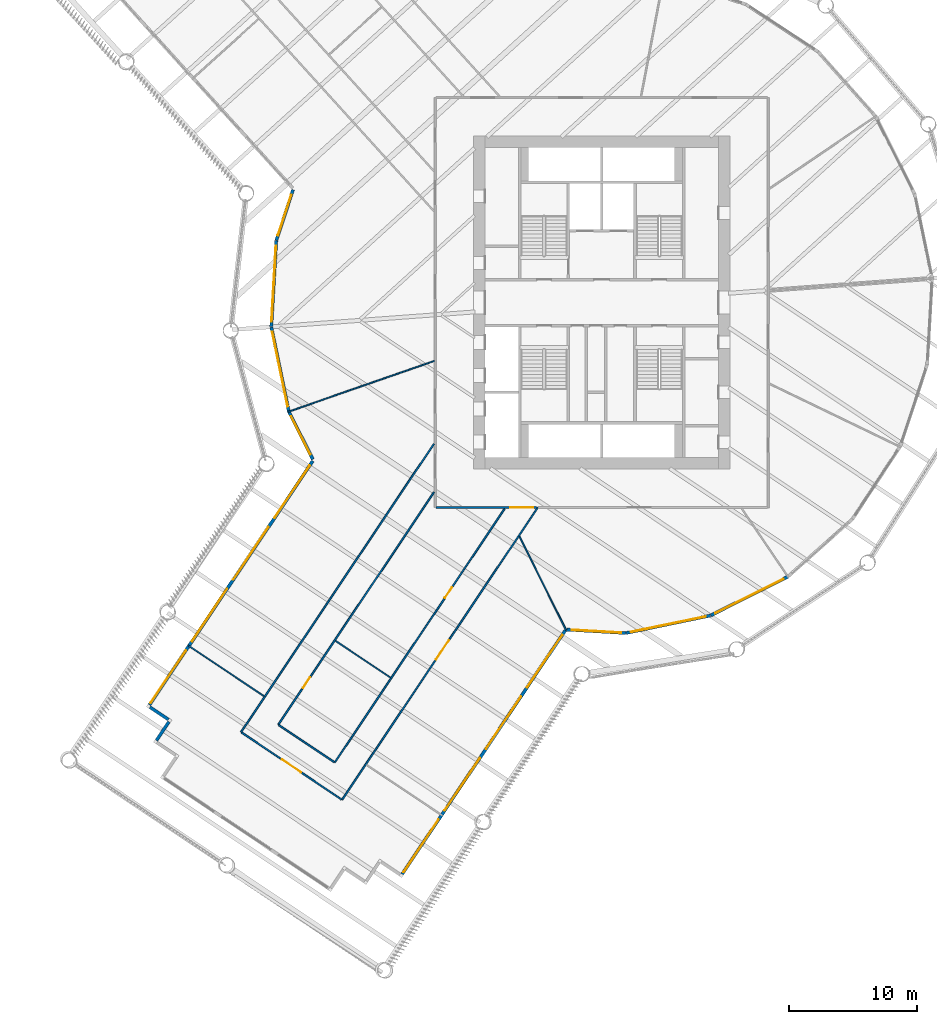
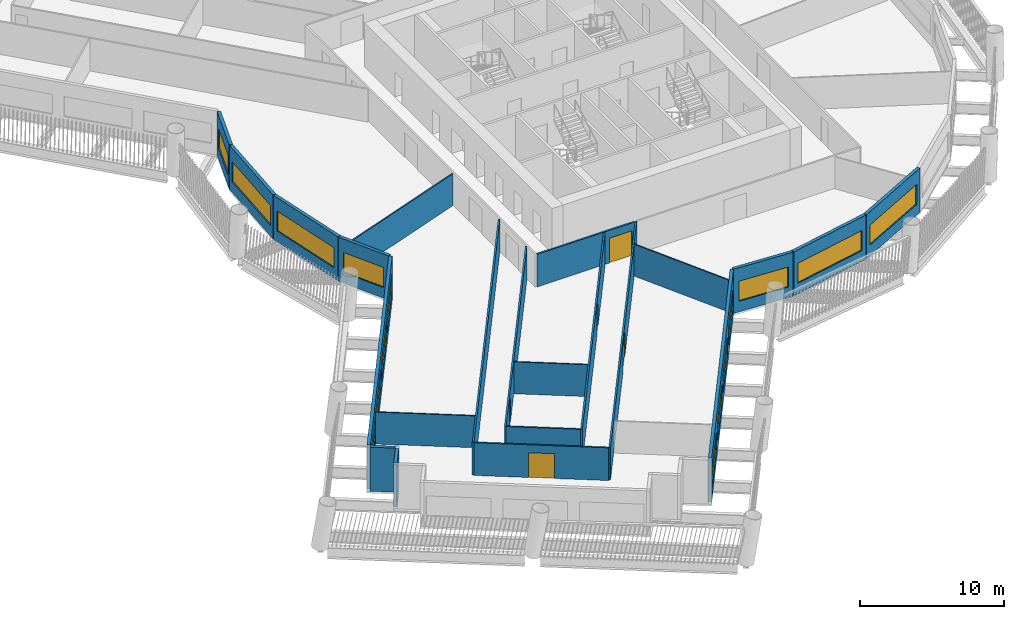
# One storey, part 3 of 15: 22 walls, 15 windows, 5 doors, 20 openings.
"""IFC4 building model written with IfcOpenShell, lengths in metres."""

from ifc_helpers import new_model, si_unit, direction, frame, frame_2d, origin, place, context, subcontext, project, spatial, rectangle, extrude, material, layer, layer_set, type_object, element, fill, save


model = new_model("IFC4")

# Units and contexts
model_context = context("Model", 3, precision=1e-05, world=origin(), true_north=direction((0.0, 1.0)))
body_context = subcontext(model_context, "Body", "Model", "MODEL_VIEW")
ifc_project = project(units=[si_unit("LENGTHUNIT", "METRE"), si_unit("AREAUNIT", "SQUARE_METRE"), si_unit("VOLUMEUNIT", "CUBIC_METRE"), si_unit("PLANEANGLEUNIT", "RADIAN"), si_unit("MASSUNIT", "GRAM", prefix="KILO")], contexts=[model_context])

# Site, building, storey
site_placement = place(None, origin())
site = spatial("IfcSite", under=ifc_project, at=site_placement, CompositionType="ELEMENT")
building_placement = place(site_placement, origin())
building = spatial("IfcBuilding", under=site, at=building_placement, Name="Tarsis Ring Headquarters", CompositionType="ELEMENT")
storey_placement = place(building_placement, frame((0.0, 0.0, 59.5)))
storey = spatial("IfcBuildingStorey", under=building, at=storey_placement, Name="L12", CompositionType="ELEMENT", Elevation=59.5)

# Walls
ifc_material_1 = material(Name="Gypsum board on steel studs", Category="steel")
ifc_layer_1 = layer(ifc_material_1, 0.10009765625)
ifc_layer_set_1 = layer_set([ifc_layer_1], Name="FL partition 100 unrated")
wall_type_1 = type_object("IfcWallType", Name="FL partition 100 unrated", PredefinedType="PARTITIONING", material=ifc_layer_set_1)
wall_1_placement = place(storey_placement, frame((-24.50439453125, -8.533447265625, 0.0), z_axis=(0.0, 0.0, 1.0), x_axis=(0.944374259655, 0.328872707444, 0.0)))
element("IfcWall", 1, at=wall_1_placement, inside=storey, type_object=wall_type_1, Name="Partition PW3", PredefinedType="PARTITIONING", context=body_context, shape_type="SweptSolid", body=[
    extrude(rectangle(XDim=12.101806640625, YDim=0.10009765625, at=frame_2d((6.05078125, 0.0))), origin(), (0.0, 0.0, 1.0), 2.699951171875),
])
wall_2_placement = place(storey_placement, frame((-6.416015625, -18.265380859375, 0.0), z_axis=(0.0, 0.0, 1.0), x_axis=(0.445432294713, -0.895315626373, 0.0)))
element("IfcWall", 2, at=wall_2_placement, inside=storey, type_object=wall_type_1, Name="Partition PW3", PredefinedType="PARTITIONING", context=body_context, shape_type="SweptSolid", body=[
    extrude(rectangle(XDim=8.172607421875, YDim=0.10009765625, at=frame_2d((4.08642578125, 0.0))), origin(), (0.0, 0.0, 1.0), 2.699951171875),
])
wall_3_placement = place(storey_placement, frame((-32.298828125, -26.76611328125, 0.0), z_axis=(0.0, 0.0, 1.0), x_axis=(0.830984627552, -0.556295379068, 0.0)))
element("IfcWall", 3, at=wall_3_placement, inside=storey, type_object=wall_type_1, Name="Partition PW3", PredefinedType="PARTITIONING", context=body_context, shape_type="SweptSolid", body=[
    extrude(rectangle(XDim=7.1298828125, YDim=0.10009765625, at=frame_2d((3.56494140625, 0.0))), origin(), (0.0, 0.0, 1.0), 2.699951171875),
])
wall_4_placement = place(storey_placement, frame((-20.785400390625, -26.410888671875, 0.0), z_axis=(0.0, 0.0, 1.0), x_axis=(0.830971427411, -0.556315096709, 0.0)))
element("IfcWall", 4, at=wall_4_placement, inside=storey, type_object=wall_type_1, Name="Partition PW3", PredefinedType="PARTITIONING", context=body_context, shape_type="SweptSolid", body=[
    extrude(rectangle(XDim=5.16015625, YDim=0.10009765625, at=frame_2d((2.580078125, 0.0))), origin(), (0.0, 0.0, 1.0), 2.699951171875),
])

# Wall, opening, door
ifc_layer_2 = layer(ifc_material_1, 0.125)
ifc_layer_set_2 = layer_set([ifc_layer_2], Name="FL partition 125 EI 60 H2770")
wall_type_2 = type_object("IfcWallType", Name="FL partition 125 EI 60 H2770", PredefinedType="PARTITIONING", material=ifc_layer_set_2)
wall_5_placement = place(storey_placement, frame((-20.27392578125, -38.823486328125, 0.0), z_axis=(0.0, 0.0, 1.0), x_axis=(0.556290994728, 0.830987562593, 0.0)))
wall_5 = element("IfcWall", 5, at=wall_5_placement, inside=storey, type_object=wall_type_2, Name="Partition PW1", PredefinedType="PARTITIONING", context=body_context, shape_type="SweptSolid", body=[
    extrude(rectangle(XDim=27.465576171875, YDim=0.125, at=frame_2d((13.73291015625, 0.0))), origin(), (0.0, 0.0, 1.0), 2.77001953125),
])
opening_1_placement = place(wall_5_placement, frame((13.181396484375, 0.0, 0.0)))
opening_1 = element("IfcOpeningElement", 6, at=opening_1_placement, cuts=wall_5, Name="Opening D12.09", PredefinedType="OPENING", context=body_context, shape_type="SweptSolid", body=[
    extrude(rectangle(XDim=1.800048828125, YDim=2.10009765625, at=frame_2d((0.89990234375, 1.050048828125))), frame((0.0, 0.072509765625, 0.0), z_axis=(0.0, -1.0, 0.0), x_axis=(1.0, 0.0, 0.0)), (0.0, 0.0, 1.0), 0.14501953125),
])
ifc_material_2 = material(Name="Fire-rated timber door leaf in steel frame", Category="steel")
door_type_1 = type_object("IfcDoorType", Name="FL door FD60-1800", OperationType="DOUBLE_DOOR_SINGLE_SWING", PredefinedType="DOOR", material=ifc_material_2)
door_1_placement = place(opening_1_placement, origin())
door_1 = element("IfcDoor", 7, at=door_1_placement, inside=storey, type_object=door_type_1, Name="Door D12.09", OperationType="DOUBLE_DOOR_SINGLE_SWING", OverallHeight=2.10009765625, OverallWidth=1.800048828125, PredefinedType="DOOR", context=body_context, shape_type="SweptSolid", body=[
    extrude(rectangle(XDim=1.800048828125, YDim=2.10009765625, at=frame_2d((0.89990234375, 1.050048828125))), frame((0.0, 0.02490234375, 0.0), z_axis=(0.0, -1.0, 0.0), x_axis=(1.0, 0.0, 0.0)), (0.0, 0.0, 1.0), 0.050048828125),
])
fill(opening_1, door_1)

# Wall
wall_6_placement = place(storey_placement, frame((-28.168212890625, -33.538818359375, 0.0), z_axis=(0.0, 0.0, 1.0), x_axis=(0.556288881829, 0.830988977035, 0.0)))
element("IfcWall", 8, at=wall_6_placement, inside=storey, type_object=wall_type_2, Name="Partition PW1", PredefinedType="PARTITIONING", context=body_context, shape_type="SweptSolid", body=[
    extrude(rectangle(XDim=27.07666015625, YDim=0.125, at=frame_2d((13.538330078125, 0.0))), origin(), (0.0, 0.0, 1.0), 2.77001953125),
])

# Wall, opening, door
wall_7_placement = place(storey_placement, frame((-12.93896484375, -16.0, 0.0), z_axis=(0.0, 0.0, 1.0), x_axis=(1.0, 0.0, 0.0)))
wall_7 = element("IfcWall", 9, at=wall_7_placement, inside=storey, type_object=wall_type_2, Name="Partition PW1", PredefinedType="PARTITIONING", context=body_context, shape_type="SweptSolid", body=[
    extrude(rectangle(XDim=7.826904296875, YDim=0.125, at=frame_2d((3.91357421875, 0.0))), origin(), (0.0, 0.0, 1.0), 2.77001953125),
])
opening_2_placement = place(wall_7_placement, frame((5.780517578125, 0.0, 0.0)))
opening_2 = element("IfcOpeningElement", 10, at=opening_2_placement, cuts=wall_7, Name="Opening D12.18", PredefinedType="OPENING", context=body_context, shape_type="SweptSolid", body=[
    extrude(rectangle(XDim=1.800048828125, YDim=2.10009765625, at=frame_2d((0.89990234375, 1.050048828125))), frame((0.0, 0.072509765625, 0.0), z_axis=(0.0, -1.0, 0.0), x_axis=(1.0, 0.0, 0.0)), (0.0, 0.0, 1.0), 0.14501953125),
])
door_2_placement = place(opening_2_placement, origin())
door_2 = element("IfcDoor", 11, at=door_2_placement, inside=storey, type_object=door_type_1, Name="Door D12.18", OperationType="DOUBLE_DOOR_SINGLE_SWING", OverallHeight=2.10009765625, OverallWidth=1.800048828125, PredefinedType="DOOR", context=body_context, shape_type="SweptSolid", body=[
    extrude(rectangle(XDim=1.800048828125, YDim=2.10009765625, at=frame_2d((0.89990234375, 1.050048828125))), frame((0.0, 0.02490234375, 0.0), z_axis=(0.0, -1.0, 0.0), x_axis=(1.0, 0.0, 0.0)), (0.0, 0.0, 1.0), 0.050048828125),
])
fill(opening_2, door_2)

wall_8_placement = place(storey_placement, frame((-20.850830078125, -35.91015625, 0.0), z_axis=(0.0, 0.0, 1.0), x_axis=(0.556296079298, 0.830984158789, 0.0)))
wall_8 = element("IfcWall", 12, at=wall_8_placement, inside=storey, type_object=wall_type_2, Name="Partition PW1", PredefinedType="PARTITIONING", context=body_context, shape_type="SweptSolid", body=[
    extrude(rectangle(XDim=23.849853515625, YDim=0.125, at=frame_2d((11.9248046875, 0.0))), origin(), (0.0, 0.0, 1.0), 2.77001953125),
])
opening_3_placement = place(wall_8_placement, frame((15.44580078125, 0.0, 0.0)))
opening_3 = element("IfcOpeningElement", 13, at=opening_3_placement, cuts=wall_8, Name="Opening D12.15", PredefinedType="OPENING", context=body_context, shape_type="SweptSolid", body=[
    extrude(rectangle(XDim=1.0, YDim=2.10009765625, at=frame_2d((0.5, 1.050048828125))), frame((0.0, 0.072509765625, 0.0), z_axis=(0.0, -1.0, 0.0), x_axis=(1.0, 0.0, 0.0)), (0.0, 0.0, 1.0), 0.14501953125),
])
door_type_2 = type_object("IfcDoorType", Name="FL door FD60-1000", OperationType="NOTDEFINED", PredefinedType="DOOR", material=ifc_material_2)
door_3_placement = place(opening_3_placement, origin())
door_3 = element("IfcDoor", 14, at=door_3_placement, inside=storey, type_object=door_type_2, Name="Door D12.15", OperationType="SINGLE_SWING_LEFT", OverallHeight=2.10009765625, OverallWidth=1.0, PredefinedType="DOOR", context=body_context, shape_type="SweptSolid", body=[
    extrude(rectangle(XDim=1.0, YDim=2.10009765625, at=frame_2d((0.5, 1.050048828125))), frame((0.0, 0.02490234375, 0.0), z_axis=(0.0, -1.0, 0.0), x_axis=(1.0, 0.0, 0.0)), (0.0, 0.0, 1.0), 0.050048828125),
])
fill(opening_3, door_3)

wall_9_placement = place(storey_placement, frame((-25.2548828125, -32.9619140625, 0.0), z_axis=(0.0, 0.0, 1.0), x_axis=(0.556290871115, 0.830987645344, 0.0)))
wall_9 = element("IfcWall", 15, at=wall_9_placement, inside=storey, type_object=wall_type_2, Name="Partition PW1", PredefinedType="PARTITIONING", context=body_context, shape_type="SweptSolid", body=[
    extrude(rectangle(XDim=21.839599609375, YDim=0.125, at=frame_2d((10.919921875, 0.0))), origin(), (0.0, 0.0, 1.0), 2.77001953125),
])
opening_4_placement = place(wall_9_placement, frame((3.466064453125, 0.0, 0.0)))
opening_4 = element("IfcOpeningElement", 16, at=opening_4_placement, cuts=wall_9, Name="Opening D12.16", PredefinedType="OPENING", context=body_context, shape_type="SweptSolid", body=[
    extrude(rectangle(XDim=1.0, YDim=2.10009765625, at=frame_2d((0.5, 1.050048828125))), frame((0.0, 0.072509765625, 0.0), z_axis=(0.0, -1.0, 0.0), x_axis=(1.0, 0.0, 0.0)), (0.0, 0.0, 1.0), 0.14501953125),
])
door_4_placement = place(opening_4_placement, origin())
door_4 = element("IfcDoor", 17, at=door_4_placement, inside=storey, type_object=door_type_2, Name="Door D12.16", OperationType="SINGLE_SWING_RIGHT", OverallHeight=2.10009765625, OverallWidth=1.0, PredefinedType="DOOR", context=body_context, shape_type="SweptSolid", body=[
    extrude(rectangle(XDim=1.0, YDim=2.10009765625, at=frame_2d((0.5, 1.050048828125))), frame((0.0, 0.02490234375, 0.0), z_axis=(0.0, -1.0, 0.0), x_axis=(1.0, 0.0, 0.0)), (0.0, 0.0, 1.0), 0.050048828125),
])
fill(opening_4, door_4)

wall_10_placement = place(storey_placement, frame((-28.118408203125, -33.572021484375, 0.0), z_axis=(0.0, 0.0, 1.0), x_axis=(0.830987640973, -0.556290877644, 0.0)))
wall_10 = element("IfcWall", 18, at=wall_10_placement, inside=storey, type_object=wall_type_2, Name="Partition PW1", PredefinedType="PARTITIONING", context=body_context, shape_type="SweptSolid", body=[
    extrude(rectangle(XDim=9.380126953125, YDim=0.125, at=frame_2d((4.68994140625, 0.0))), origin(), (0.0, 0.0, 1.0), 2.77001953125),
])
opening_5_placement = place(wall_10_placement, frame((3.7900390625, 0.0, 0.0)))
opening_5 = element("IfcOpeningElement", 19, at=opening_5_placement, cuts=wall_10, Name="Opening D12.10", PredefinedType="OPENING", context=body_context, shape_type="SweptSolid", body=[
    extrude(rectangle(XDim=1.800048828125, YDim=2.10009765625, at=frame_2d((0.89990234375, 1.050048828125))), frame((0.0, 0.072509765625, 0.0), z_axis=(0.0, -1.0, 0.0), x_axis=(1.0, 0.0, 0.0)), (0.0, 0.0, 1.0), 0.14501953125),
])
door_5_placement = place(opening_5_placement, origin())
door_5 = element("IfcDoor", 20, at=door_5_placement, inside=storey, type_object=door_type_1, Name="Door D12.10", OperationType="DOUBLE_DOOR_SINGLE_SWING", OverallHeight=2.10009765625, OverallWidth=1.800048828125, PredefinedType="DOOR", context=body_context, shape_type="SweptSolid", body=[
    extrude(rectangle(XDim=1.800048828125, YDim=2.10009765625, at=frame_2d((0.89990234375, 1.050048828125))), frame((0.0, 0.02490234375, 0.0), z_axis=(0.0, -1.0, 0.0), x_axis=(1.0, 0.0, 0.0)), (0.0, 0.0, 1.0), 0.050048828125),
])
fill(opening_5, door_5)

# Wall
wall_11_placement = place(storey_placement, frame((-25.205078125, -32.9951171875, 0.0), z_axis=(0.0, 0.0, 1.0), x_axis=(0.8309828517, -0.556298031797, 0.0)))
element("IfcWall", 21, at=wall_11_placement, inside=storey, type_object=wall_type_2, Name="Partition PW1", PredefinedType="PARTITIONING", context=body_context, shape_type="SweptSolid", body=[
    extrude(rectangle(XDim=5.179931640625, YDim=0.125, at=frame_2d((2.58984375, 0.0))), origin(), (0.0, 0.0, 1.0), 2.77001953125),
])

# Wall, opening, window
ifc_material_3 = material(Name="Terracotta clad insulated panel wall", Category="masonry")
ifc_layer_3 = layer(ifc_material_3, 0.25)
ifc_layer_set_3 = layer_set([ifc_layer_3], Name="Facade wall terracotta panel 250")
wall_type_3 = type_object("IfcWallType", Name="Facade wall terracotta panel 250", PredefinedType="STANDARD", material=ifc_layer_set_3)
wall_12_placement = place(storey_placement, frame((-24.10498046875, 8.811279296875, 0.0), z_axis=(0.0, 0.0, 1.0), x_axis=(-0.313989556874, -0.94942643642, 0.0)))
wall_12 = element("IfcWall", 22, at=wall_12_placement, inside=storey, type_object=wall_type_3, Name="External wall L12-02", PredefinedType="STANDARD", context=body_context, shape_type="SweptSolid", body=[
    extrude(rectangle(XDim=4.157470703125, YDim=0.25, at=frame_2d((2.07861328125, 0.0))), origin(), (0.0, 0.0, 1.0), 3.739990234375),
])
opening_6_placement = place(wall_12_placement, frame((0.420166015625, 0.0, 0.89990234375)))
opening_6 = element("IfcOpeningElement", 23, at=opening_6_placement, cuts=wall_12, Name="Opening WN01", PredefinedType="OPENING", context=body_context, shape_type="SweptSolid", body=[
    extrude(rectangle(XDim=3.35009765625, YDim=1.699951171875, at=frame_2d((1.675048828125, 0.85009765625))), frame((0.0, 0.135009765625, 0.0), z_axis=(0.0, -1.0, 0.0), x_axis=(1.0, 0.0, 0.0)), (0.0, 0.0, 1.0), 0.27001953125),
])
ifc_material_4 = material(Name="Aluminium framed double glazing", Category="aluminium")
window_type_1 = type_object("IfcWindowType", Name="Facade window 3350 x 1700", PartitioningType="SINGLE_PANEL", PredefinedType="WINDOW", material=ifc_material_4)
window_1_placement = place(opening_6_placement, origin())
window_1 = element("IfcWindow", 24, at=window_1_placement, inside=storey, type_object=window_type_1, Name="Window L12-02.1", OverallHeight=1.699951171875, OverallWidth=3.35009765625, PartitioningType="SINGLE_PANEL", PredefinedType="WINDOW", context=body_context, shape_type="SweptSolid", body=[
    extrude(rectangle(XDim=3.35009765625, YDim=1.699951171875, at=frame_2d((1.675048828125, 0.85009765625))), frame((0.0, 0.030029296875, 0.0), z_axis=(0.0, -1.0, 0.0), x_axis=(1.0, 0.0, 0.0)), (0.0, 0.0, 1.0), 0.06005859375),
])
fill(opening_6, window_1)

wall_13_placement = place(storey_placement, frame((-25.41650390625, 4.831787109375, 0.0), z_axis=(0.0, 0.0, 1.0), x_axis=(-0.05757216792, -0.998341347176, 0.0)))
wall_13 = element("IfcWall", 25, at=wall_13_placement, inside=storey, type_object=wall_type_3, Name="External wall L12-03", PredefinedType="STANDARD", context=body_context, shape_type="SweptSolid", body=[
    extrude(rectangle(XDim=6.721435546875, YDim=0.25, at=frame_2d((3.36083984375, 0.0))), origin(), (0.0, 0.0, 1.0), 3.739990234375),
])
opening_7_placement = place(wall_13_placement, frame((0.3857421875, 0.0, 0.89990234375)))
opening_7 = element("IfcOpeningElement", 26, at=opening_7_placement, cuts=wall_13, Name="Opening WN07", PredefinedType="OPENING", context=body_context, shape_type="SweptSolid", body=[
    extrude(rectangle(XDim=5.949951171875, YDim=1.699951171875, at=frame_2d((2.97509765625, 0.85009765625))), frame((0.0, 0.135009765625, 0.0), z_axis=(0.0, -1.0, 0.0), x_axis=(1.0, 0.0, 0.0)), (0.0, 0.0, 1.0), 0.27001953125),
])
window_type_2 = type_object("IfcWindowType", Name="Facade window 5950 x 1700", PartitioningType="SINGLE_PANEL", PredefinedType="WINDOW", material=ifc_material_4)
window_2_placement = place(opening_7_placement, origin())
window_2 = element("IfcWindow", 27, at=window_2_placement, inside=storey, type_object=window_type_2, Name="Window L12-03.1", OverallHeight=1.699951171875, OverallWidth=5.949951171875, PartitioningType="SINGLE_PANEL", PredefinedType="WINDOW", context=body_context, shape_type="SweptSolid", body=[
    extrude(rectangle(XDim=5.949951171875, YDim=1.699951171875, at=frame_2d((2.97509765625, 0.85009765625))), frame((0.0, 0.030029296875, 0.0), z_axis=(0.0, -1.0, 0.0), x_axis=(1.0, 0.0, 0.0)), (0.0, 0.0, 1.0), 0.06005859375),
])
fill(opening_7, window_2)

wall_14_placement = place(storey_placement, frame((-25.801025390625, -1.9111328125, 0.0), z_axis=(0.0, 0.0, 1.0), x_axis=(0.20278936741, -0.979222381518, 0.0)))
wall_14 = element("IfcWall", 28, at=wall_14_placement, inside=storey, type_object=wall_type_3, Name="External wall L12-04", PredefinedType="STANDARD", context=body_context, shape_type="SweptSolid", body=[
    extrude(rectangle(XDim=6.721435546875, YDim=0.25, at=frame_2d((3.36083984375, 0.0))), origin(), (0.0, 0.0, 1.0), 3.739990234375),
])
opening_8_placement = place(wall_14_placement, frame((0.3857421875, 0.0, 0.89990234375)))
opening_8 = element("IfcOpeningElement", 29, at=opening_8_placement, cuts=wall_14, Name="Opening WN07", PredefinedType="OPENING", context=body_context, shape_type="SweptSolid", body=[
    extrude(rectangle(XDim=5.949951171875, YDim=1.699951171875, at=frame_2d((2.97509765625, 0.85009765625))), frame((0.0, 0.135009765625, 0.0), z_axis=(0.0, -1.0, 0.0), x_axis=(1.0, 0.0, 0.0)), (0.0, 0.0, 1.0), 0.27001953125),
])
window_3_placement = place(opening_8_placement, origin())
window_3 = element("IfcWindow", 30, at=window_3_placement, inside=storey, type_object=window_type_2, Name="Window L12-04.1", OverallHeight=1.699951171875, OverallWidth=5.949951171875, PartitioningType="SINGLE_PANEL", PredefinedType="WINDOW", context=body_context, shape_type="SweptSolid", body=[
    extrude(rectangle(XDim=5.949951171875, YDim=1.699951171875, at=frame_2d((2.97509765625, 0.85009765625))), frame((0.0, 0.030029296875, 0.0), z_axis=(0.0, -1.0, 0.0), x_axis=(1.0, 0.0, 0.0)), (0.0, 0.0, 1.0), 0.06005859375),
])
fill(opening_8, window_3)

wall_15_placement = place(storey_placement, frame((-24.42724609375, -8.523681640625, 0.0), z_axis=(0.0, 0.0, 1.0), x_axis=(0.449279403652, -0.89339130142, 0.0)))
wall_15 = element("IfcWall", 31, at=wall_15_placement, inside=storey, type_object=wall_type_3, Name="External wall L12-05", PredefinedType="STANDARD", context=body_context, shape_type="SweptSolid", body=[
    extrude(rectangle(XDim=4.157470703125, YDim=0.25, at=frame_2d((2.07861328125, 0.0))), origin(), (0.0, 0.0, 1.0), 3.739990234375),
])
opening_9_placement = place(wall_15_placement, frame((0.38720703125, 0.0, 0.89990234375)))
opening_9 = element("IfcOpeningElement", 32, at=opening_9_placement, cuts=wall_15, Name="Opening WN01", PredefinedType="OPENING", context=body_context, shape_type="SweptSolid", body=[
    extrude(rectangle(XDim=3.35009765625, YDim=1.699951171875, at=frame_2d((1.675048828125, 0.85009765625))), frame((0.0, 0.135009765625, 0.0), z_axis=(0.0, -1.0, 0.0), x_axis=(1.0, 0.0, 0.0)), (0.0, 0.0, 1.0), 0.27001953125),
])
window_4_placement = place(opening_9_placement, origin())
window_4 = element("IfcWindow", 33, at=window_4_placement, inside=storey, type_object=window_type_1, Name="Window L12-05.1", OverallHeight=1.699951171875, OverallWidth=3.35009765625, PartitioningType="SINGLE_PANEL", PredefinedType="WINDOW", context=body_context, shape_type="SweptSolid", body=[
    extrude(rectangle(XDim=3.35009765625, YDim=1.699951171875, at=frame_2d((1.675048828125, 0.85009765625))), frame((0.0, 0.030029296875, 0.0), z_axis=(0.0, -1.0, 0.0), x_axis=(1.0, 0.0, 0.0)), (0.0, 0.0, 1.0), 0.06005859375),
])
fill(opening_9, window_4)

# Wall, openings, windows
wall_16_placement = place(storey_placement, frame((-22.567138671875, -12.36376953125, 0.0), z_axis=(0.0, 0.0, 1.0), x_axis=(-0.556289454666, -0.83098859356, 0.0)))
wall_16 = element("IfcWall", 34, at=wall_16_placement, inside=storey, type_object=wall_type_3, Name="External wall L12-06", PredefinedType="STANDARD", context=body_context, shape_type="SweptSolid", body=[
    extrude(rectangle(XDim=22.921875, YDim=0.25, at=frame_2d((11.4609375, 0.0))), origin(), (0.0, 0.0, 1.0), 3.739990234375),
])
opening_10_placement = place(wall_16_placement, frame((0.42138671875, 0.0, 0.89990234375)))
opening_10 = element("IfcOpeningElement", 35, at=opening_10_placement, cuts=wall_16, Name="Opening WN05", PredefinedType="OPENING", context=body_context, shape_type="SweptSolid", body=[
    extrude(rectangle(XDim=4.949951171875, YDim=1.699951171875, at=frame_2d((2.47509765625, 0.85009765625))), frame((0.0, 0.135009765625, 0.0), z_axis=(0.0, -1.0, 0.0), x_axis=(1.0, 0.0, 0.0)), (0.0, 0.0, 1.0), 0.27001953125),
])
opening_11_placement = place(wall_16_placement, frame((6.214599609375, 0.0, 0.89990234375)))
opening_11 = element("IfcOpeningElement", 36, at=opening_11_placement, cuts=wall_16, Name="Opening WN05", PredefinedType="OPENING", context=body_context, shape_type="SweptSolid", body=[
    extrude(rectangle(XDim=4.949951171875, YDim=1.699951171875, at=frame_2d((2.47509765625, 0.85009765625))), frame((0.0, 0.135009765625, 0.0), z_axis=(0.0, -1.0, 0.0), x_axis=(1.0, 0.0, 0.0)), (0.0, 0.0, 1.0), 0.27001953125),
])
opening_12_placement = place(wall_16_placement, frame((12.007568359375, 0.0, 0.89990234375)))
opening_12 = element("IfcOpeningElement", 37, at=opening_12_placement, cuts=wall_16, Name="Opening WN05", PredefinedType="OPENING", context=body_context, shape_type="SweptSolid", body=[
    extrude(rectangle(XDim=4.949951171875, YDim=1.699951171875, at=frame_2d((2.47509765625, 0.85009765625))), frame((0.0, 0.135009765625, 0.0), z_axis=(0.0, -1.0, 0.0), x_axis=(1.0, 0.0, 0.0)), (0.0, 0.0, 1.0), 0.27001953125),
])
opening_13_placement = place(wall_16_placement, frame((17.800537109375, 0.0, 0.89990234375)))
opening_13 = element("IfcOpeningElement", 38, at=opening_13_placement, cuts=wall_16, Name="Opening WN05", PredefinedType="OPENING", context=body_context, shape_type="SweptSolid", body=[
    extrude(rectangle(XDim=4.949951171875, YDim=1.699951171875, at=frame_2d((2.47509765625, 0.85009765625))), frame((0.0, 0.135009765625, 0.0), z_axis=(0.0, -1.0, 0.0), x_axis=(1.0, 0.0, 0.0)), (0.0, 0.0, 1.0), 0.27001953125),
])
window_type_3 = type_object("IfcWindowType", Name="Facade window 4950 x 1700", PartitioningType="SINGLE_PANEL", PredefinedType="WINDOW", material=ifc_material_4)
window_5_placement = place(opening_10_placement, origin())
window_5 = element("IfcWindow", 39, at=window_5_placement, inside=storey, type_object=window_type_3, Name="Window L12-06.1", OverallHeight=1.699951171875, OverallWidth=4.949951171875, PartitioningType="SINGLE_PANEL", PredefinedType="WINDOW", context=body_context, shape_type="SweptSolid", body=[
    extrude(rectangle(XDim=4.949951171875, YDim=1.699951171875, at=frame_2d((2.47509765625, 0.85009765625))), frame((0.0, 0.030029296875, 0.0), z_axis=(0.0, -1.0, 0.0), x_axis=(1.0, 0.0, 0.0)), (0.0, 0.0, 1.0), 0.06005859375),
])
fill(opening_10, window_5)
window_6_placement = place(opening_11_placement, origin())
window_6 = element("IfcWindow", 40, at=window_6_placement, inside=storey, type_object=window_type_3, Name="Window L12-06.2", OverallHeight=1.699951171875, OverallWidth=4.949951171875, PartitioningType="SINGLE_PANEL", PredefinedType="WINDOW", context=body_context, shape_type="SweptSolid", body=[
    extrude(rectangle(XDim=4.949951171875, YDim=1.699951171875, at=frame_2d((2.47509765625, 0.85009765625))), frame((0.0, 0.030029296875, 0.0), z_axis=(0.0, -1.0, 0.0), x_axis=(1.0, 0.0, 0.0)), (0.0, 0.0, 1.0), 0.06005859375),
])
fill(opening_11, window_6)
window_7_placement = place(opening_12_placement, origin())
window_7 = element("IfcWindow", 41, at=window_7_placement, inside=storey, type_object=window_type_3, Name="Window L12-06.3", OverallHeight=1.699951171875, OverallWidth=4.949951171875, PartitioningType="SINGLE_PANEL", PredefinedType="WINDOW", context=body_context, shape_type="SweptSolid", body=[
    extrude(rectangle(XDim=4.949951171875, YDim=1.699951171875, at=frame_2d((2.47509765625, 0.85009765625))), frame((0.0, 0.030029296875, 0.0), z_axis=(0.0, -1.0, 0.0), x_axis=(1.0, 0.0, 0.0)), (0.0, 0.0, 1.0), 0.06005859375),
])
fill(opening_12, window_7)
window_8_placement = place(opening_13_placement, origin())
window_8 = element("IfcWindow", 42, at=window_8_placement, inside=storey, type_object=window_type_3, Name="Window L12-06.4", OverallHeight=1.699951171875, OverallWidth=4.949951171875, PartitioningType="SINGLE_PANEL", PredefinedType="WINDOW", context=body_context, shape_type="SweptSolid", body=[
    extrude(rectangle(XDim=4.949951171875, YDim=1.699951171875, at=frame_2d((2.47509765625, 0.85009765625))), frame((0.0, 0.030029296875, 0.0), z_axis=(0.0, -1.0, 0.0), x_axis=(1.0, 0.0, 0.0)), (0.0, 0.0, 1.0), 0.06005859375),
])
fill(opening_13, window_8)

# Walls
wall_17_placement = place(storey_placement, frame((-35.2841796875, -31.5849609375, 0.0), z_axis=(0.0, 0.0, 1.0), x_axis=(0.831040179262, -0.556212387899, 0.0)))
element("IfcWall", 43, at=wall_17_placement, inside=storey, type_object=wall_type_3, Name="External wall L12-07", PredefinedType="STANDARD", context=body_context, shape_type="SweptSolid", body=[
    extrude(rectangle(XDim=1.75, YDim=0.25, at=frame_2d((0.875, 0.0))), origin(), (0.0, 0.0, 1.0), 3.739990234375),
])
wall_18_placement = place(storey_placement, frame((-33.795654296875, -32.73193359375, 0.0), z_axis=(0.0, 0.0, 1.0), x_axis=(-0.556276878463, -0.830997012322, 0.0)))
element("IfcWall", 44, at=wall_18_placement, inside=storey, type_object=wall_type_3, Name="External wall L12-08", PredefinedType="STANDARD", context=body_context, shape_type="SweptSolid", body=[
    extrude(rectangle(XDim=1.749755859375, YDim=0.25, at=frame_2d((0.875, 0.0))), origin(), (0.0, 0.0, 1.0), 3.739990234375),
])

# Wall, openings, windows
wall_19_placement = place(storey_placement, frame((-15.58251953125, -44.62353515625, 0.0), z_axis=(0.0, 0.0, 1.0), x_axis=(0.556293353336, 0.830985983657, 0.0)))
wall_19 = element("IfcWall", 45, at=wall_19_placement, inside=storey, type_object=wall_type_3, Name="External wall L12-16", PredefinedType="STANDARD", context=body_context, shape_type="SweptSolid", body=[
    extrude(rectangle(XDim=22.901123046875, YDim=0.25, at=frame_2d((11.45068359375, 0.0))), origin(), (0.0, 0.0, 1.0), 3.739990234375),
])
opening_14_placement = place(wall_19_placement, frame((0.1689453125, 0.0, 0.89990234375)))
opening_14 = element("IfcOpeningElement", 46, at=opening_14_placement, cuts=wall_19, Name="Opening WN05", PredefinedType="OPENING", context=body_context, shape_type="SweptSolid", body=[
    extrude(rectangle(XDim=4.949951171875, YDim=1.699951171875, at=frame_2d((2.47509765625, 0.85009765625))), frame((0.0, 0.135009765625, 0.0), z_axis=(0.0, -1.0, 0.0), x_axis=(1.0, 0.0, 0.0)), (0.0, 0.0, 1.0), 0.27001953125),
])
opening_15_placement = place(wall_19_placement, frame((5.956787109375, 0.0, 0.89990234375)))
opening_15 = element("IfcOpeningElement", 47, at=opening_15_placement, cuts=wall_19, Name="Opening WN05", PredefinedType="OPENING", context=body_context, shape_type="SweptSolid", body=[
    extrude(rectangle(XDim=4.949951171875, YDim=1.699951171875, at=frame_2d((2.47509765625, 0.85009765625))), frame((0.0, 0.135009765625, 0.0), z_axis=(0.0, -1.0, 0.0), x_axis=(1.0, 0.0, 0.0)), (0.0, 0.0, 1.0), 0.27001953125),
])
opening_16_placement = place(wall_19_placement, frame((11.74462890625, 0.0, 0.89990234375)))
opening_16 = element("IfcOpeningElement", 48, at=opening_16_placement, cuts=wall_19, Name="Opening WN05", PredefinedType="OPENING", context=body_context, shape_type="SweptSolid", body=[
    extrude(rectangle(XDim=4.949951171875, YDim=1.699951171875, at=frame_2d((2.47509765625, 0.85009765625))), frame((0.0, 0.135009765625, 0.0), z_axis=(0.0, -1.0, 0.0), x_axis=(1.0, 0.0, 0.0)), (0.0, 0.0, 1.0), 0.27001953125),
])
opening_17_placement = place(wall_19_placement, frame((17.532470703125, 0.0, 0.89990234375)))
opening_17 = element("IfcOpeningElement", 49, at=opening_17_placement, cuts=wall_19, Name="Opening WN05", PredefinedType="OPENING", context=body_context, shape_type="SweptSolid", body=[
    extrude(rectangle(XDim=4.949951171875, YDim=1.699951171875, at=frame_2d((2.47509765625, 0.85009765625))), frame((0.0, 0.135009765625, 0.0), z_axis=(0.0, -1.0, 0.0), x_axis=(1.0, 0.0, 0.0)), (0.0, 0.0, 1.0), 0.27001953125),
])
window_9_placement = place(opening_14_placement, origin())
window_9 = element("IfcWindow", 50, at=window_9_placement, inside=storey, type_object=window_type_3, Name="Window L12-16.1", OverallHeight=1.699951171875, OverallWidth=4.949951171875, PartitioningType="SINGLE_PANEL", PredefinedType="WINDOW", context=body_context, shape_type="SweptSolid", body=[
    extrude(rectangle(XDim=4.949951171875, YDim=1.699951171875, at=frame_2d((2.47509765625, 0.85009765625))), frame((0.0, 0.030029296875, 0.0), z_axis=(0.0, -1.0, 0.0), x_axis=(1.0, 0.0, 0.0)), (0.0, 0.0, 1.0), 0.06005859375),
])
fill(opening_14, window_9)
window_10_placement = place(opening_15_placement, origin())
window_10 = element("IfcWindow", 51, at=window_10_placement, inside=storey, type_object=window_type_3, Name="Window L12-16.2", OverallHeight=1.699951171875, OverallWidth=4.949951171875, PartitioningType="SINGLE_PANEL", PredefinedType="WINDOW", context=body_context, shape_type="SweptSolid", body=[
    extrude(rectangle(XDim=4.949951171875, YDim=1.699951171875, at=frame_2d((2.47509765625, 0.85009765625))), frame((0.0, 0.030029296875, 0.0), z_axis=(0.0, -1.0, 0.0), x_axis=(1.0, 0.0, 0.0)), (0.0, 0.0, 1.0), 0.06005859375),
])
fill(opening_15, window_10)
window_11_placement = place(opening_16_placement, origin())
window_11 = element("IfcWindow", 52, at=window_11_placement, inside=storey, type_object=window_type_3, Name="Window L12-16.3", OverallHeight=1.699951171875, OverallWidth=4.949951171875, PartitioningType="SINGLE_PANEL", PredefinedType="WINDOW", context=body_context, shape_type="SweptSolid", body=[
    extrude(rectangle(XDim=4.949951171875, YDim=1.699951171875, at=frame_2d((2.47509765625, 0.85009765625))), frame((0.0, 0.030029296875, 0.0), z_axis=(0.0, -1.0, 0.0), x_axis=(1.0, 0.0, 0.0)), (0.0, 0.0, 1.0), 0.06005859375),
])
fill(opening_16, window_11)
window_12_placement = place(opening_17_placement, origin())
window_12 = element("IfcWindow", 53, at=window_12_placement, inside=storey, type_object=window_type_3, Name="Window L12-16.4", OverallHeight=1.699951171875, OverallWidth=4.949951171875, PartitioningType="SINGLE_PANEL", PredefinedType="WINDOW", context=body_context, shape_type="SweptSolid", body=[
    extrude(rectangle(XDim=4.949951171875, YDim=1.699951171875, at=frame_2d((2.47509765625, 0.85009765625))), frame((0.0, 0.030029296875, 0.0), z_axis=(0.0, -1.0, 0.0), x_axis=(1.0, 0.0, 0.0)), (0.0, 0.0, 1.0), 0.06005859375),
])
fill(opening_17, window_12)

# Wall, opening, window
wall_20_placement = place(storey_placement, frame((-2.731689453125, -25.53759765625, 0.0), z_axis=(0.0, 0.0, 1.0), x_axis=(0.998341169167, -0.057575254632, 0.0)))
wall_20 = element("IfcWall", 54, at=wall_20_placement, inside=storey, type_object=wall_type_3, Name="External wall L12-17", PredefinedType="STANDARD", context=body_context, shape_type="SweptSolid", body=[
    extrude(rectangle(XDim=4.61767578125, YDim=0.25, at=frame_2d((2.308837890625, 0.0))), origin(), (0.0, 0.0, 1.0), 3.739990234375),
])
opening_18_placement = place(wall_20_placement, frame((0.400390625, 0.0, 0.89990234375)))
opening_18 = element("IfcOpeningElement", 55, at=opening_18_placement, cuts=wall_20, Name="Opening WN02", PredefinedType="OPENING", context=body_context, shape_type="SweptSolid", body=[
    extrude(rectangle(XDim=3.85009765625, YDim=1.699951171875, at=frame_2d((1.925048828125, 0.85009765625))), frame((0.0, 0.135009765625, 0.0), z_axis=(0.0, -1.0, 0.0), x_axis=(1.0, 0.0, 0.0)), (0.0, 0.0, 1.0), 0.27001953125),
])
window_type_4 = type_object("IfcWindowType", Name="Facade window 3850 x 1700", PartitioningType="SINGLE_PANEL", PredefinedType="WINDOW", material=ifc_material_4)
window_13_placement = place(opening_18_placement, origin())
window_13 = element("IfcWindow", 56, at=window_13_placement, inside=storey, type_object=window_type_4, Name="Window L12-17.1", OverallHeight=1.699951171875, OverallWidth=3.85009765625, PartitioningType="SINGLE_PANEL", PredefinedType="WINDOW", context=body_context, shape_type="SweptSolid", body=[
    extrude(rectangle(XDim=3.85009765625, YDim=1.699951171875, at=frame_2d((1.925048828125, 0.85009765625))), frame((0.0, 0.030029296875, 0.0), z_axis=(0.0, -1.0, 0.0), x_axis=(1.0, 0.0, 0.0)), (0.0, 0.0, 1.0), 0.06005859375),
])
fill(opening_18, window_13)

wall_21_placement = place(storey_placement, frame((1.9111328125, -25.801025390625, 0.0), z_axis=(0.0, 0.0, 1.0), x_axis=(0.979222381518, 0.20278936741, 0.0)))
wall_21 = element("IfcWall", 57, at=wall_21_placement, inside=storey, type_object=wall_type_3, Name="External wall L12-18", PredefinedType="STANDARD", context=body_context, shape_type="SweptSolid", body=[
    extrude(rectangle(XDim=6.721435546875, YDim=0.25, at=frame_2d((3.36083984375, 0.0))), origin(), (0.0, 0.0, 1.0), 3.739990234375),
])
opening_19_placement = place(wall_21_placement, frame((0.3857421875, 0.0, 0.89990234375)))
opening_19 = element("IfcOpeningElement", 58, at=opening_19_placement, cuts=wall_21, Name="Opening WN07", PredefinedType="OPENING", context=body_context, shape_type="SweptSolid", body=[
    extrude(rectangle(XDim=5.949951171875, YDim=1.699951171875, at=frame_2d((2.97509765625, 0.85009765625))), frame((0.0, 0.135009765625, 0.0), z_axis=(0.0, -1.0, 0.0), x_axis=(1.0, 0.0, 0.0)), (0.0, 0.0, 1.0), 0.27001953125),
])
window_14_placement = place(opening_19_placement, origin())
window_14 = element("IfcWindow", 59, at=window_14_placement, inside=storey, type_object=window_type_2, Name="Window L12-18.1", OverallHeight=1.699951171875, OverallWidth=5.949951171875, PartitioningType="SINGLE_PANEL", PredefinedType="WINDOW", context=body_context, shape_type="SweptSolid", body=[
    extrude(rectangle(XDim=5.949951171875, YDim=1.699951171875, at=frame_2d((2.97509765625, 0.85009765625))), frame((0.0, 0.030029296875, 0.0), z_axis=(0.0, -1.0, 0.0), x_axis=(1.0, 0.0, 0.0)), (0.0, 0.0, 1.0), 0.06005859375),
])
fill(opening_19, window_14)

wall_22_placement = place(storey_placement, frame((8.523681640625, -24.42724609375, 0.0), z_axis=(0.0, 0.0, 1.0), x_axis=(0.893378667293, 0.449304525712, 0.0)))
wall_22 = element("IfcWall", 60, at=wall_22_placement, inside=storey, type_object=wall_type_3, Name="External wall L12-19", PredefinedType="STANDARD", context=body_context, shape_type="SweptSolid", body=[
    extrude(rectangle(XDim=6.721435546875, YDim=0.25, at=frame_2d((3.36083984375, 0.0))), origin(), (0.0, 0.0, 1.0), 3.739990234375),
])
opening_20_placement = place(wall_22_placement, frame((0.3857421875, 0.0, 0.89990234375)))
opening_20 = element("IfcOpeningElement", 61, at=opening_20_placement, cuts=wall_22, Name="Opening WN07", PredefinedType="OPENING", context=body_context, shape_type="SweptSolid", body=[
    extrude(rectangle(XDim=5.949951171875, YDim=1.699951171875, at=frame_2d((2.97509765625, 0.85009765625))), frame((0.0, 0.135009765625, 0.0), z_axis=(0.0, -1.0, 0.0), x_axis=(1.0, 0.0, 0.0)), (0.0, 0.0, 1.0), 0.27001953125),
])
window_15_placement = place(opening_20_placement, origin())
window_15 = element("IfcWindow", 62, at=window_15_placement, inside=storey, type_object=window_type_2, Name="Window L12-19.1", OverallHeight=1.699951171875, OverallWidth=5.949951171875, PartitioningType="SINGLE_PANEL", PredefinedType="WINDOW", context=body_context, shape_type="SweptSolid", body=[
    extrude(rectangle(XDim=5.949951171875, YDim=1.699951171875, at=frame_2d((2.97509765625, 0.85009765625))), frame((0.0, 0.030029296875, 0.0), z_axis=(0.0, -1.0, 0.0), x_axis=(1.0, 0.0, 0.0)), (0.0, 0.0, 1.0), 0.06005859375),
])
fill(opening_20, window_15)

save(model, "model.ifc")
